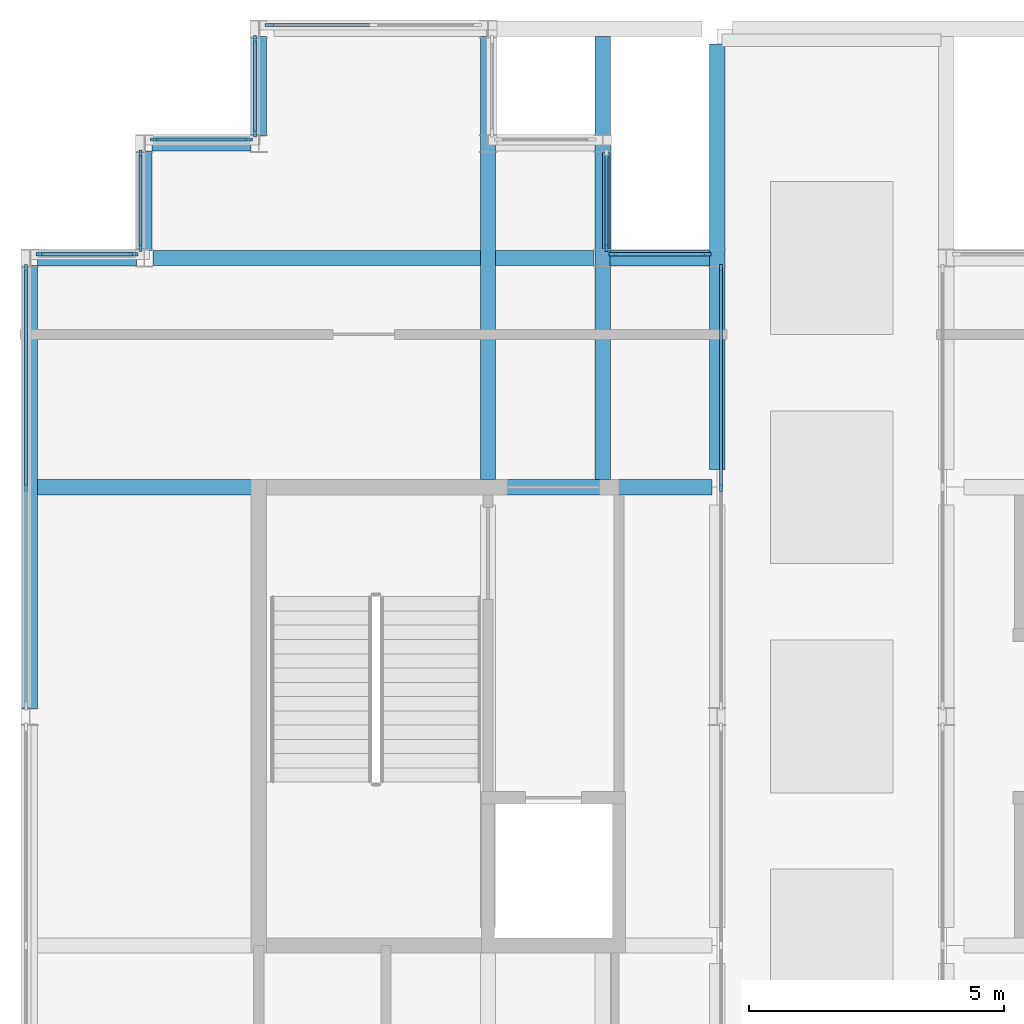
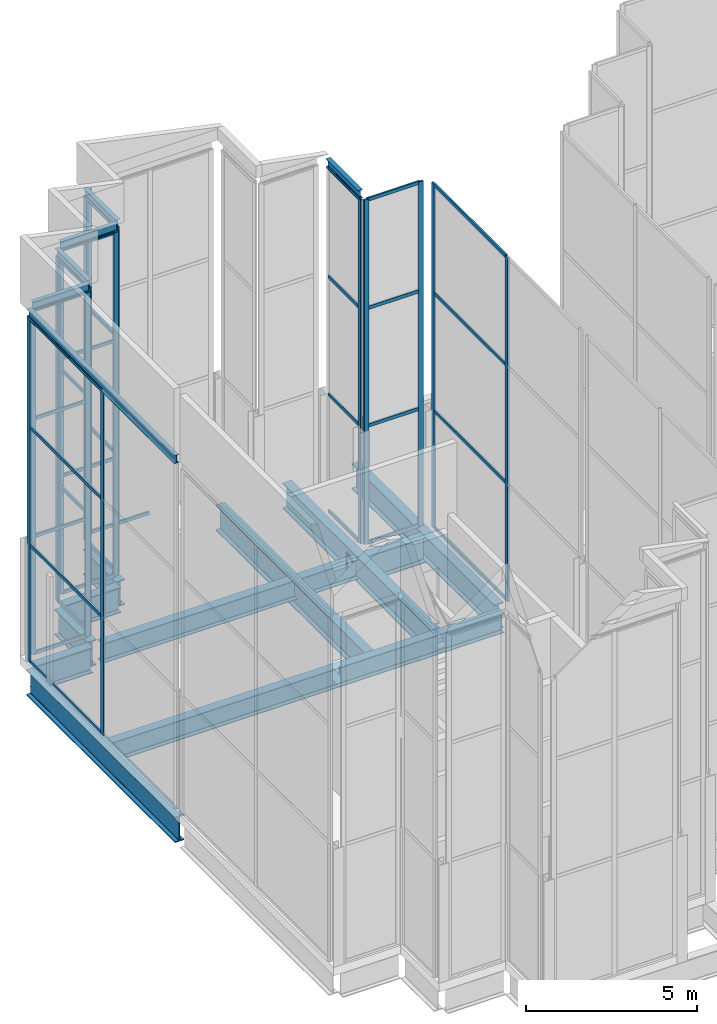
# One storey, part 6 of 23: 49 members, 17 beams, 9 elements without a shape of their own.
"""IFC4 building model written with IfcOpenShell, lengths in metres."""

from ifc_helpers import new_model, si_unit, direction, frame, origin, origin_2d, place, context, subcontext, project, spatial, rectangle, i_section, extrude, material, layer, layer_set, material_profile, profile_set, type_object, element, aggregate, save


model = new_model("IFC4")

# Units and contexts
model_context = context("Model", 3, precision=1e-05, world=origin(), true_north=direction((0.0, 1.0)))
body_context = subcontext(model_context, "Body", "Model", "MODEL_VIEW")
ifc_project = project(units=[si_unit("LENGTHUNIT", "METRE"), si_unit("AREAUNIT", "SQUARE_METRE"), si_unit("VOLUMEUNIT", "CUBIC_METRE"), si_unit("PLANEANGLEUNIT", "RADIAN"), si_unit("MASSUNIT", "GRAM", prefix="KILO")], contexts=[model_context])

# Site, building, storey
site_placement = place(None, origin())
site = spatial("IfcSite", under=ifc_project, at=site_placement, CompositionType="ELEMENT")
building_placement = place(site_placement, origin())
building = spatial("IfcBuilding", under=site, at=building_placement, Name="Caravel Reach Hotel and Residences", CompositionType="ELEMENT")
storey_placement = place(building_placement, frame((0.0, 0.0, 312.800048828125)))
storey = spatial("IfcBuildingStorey", under=building, at=storey_placement, Name="L79", CompositionType="ELEMENT", Elevation=312.800048828125)

# Beams
ifc_material_1 = material(Name="Structural steel Q355B", Category="steel")
ifc_material_profile_1 = material_profile(ifc_material_1, i_section(OverallWidth=0.14990234375, OverallDepth=0.300048828125, WebThickness=0.006591796875, FlangeThickness=0.009033203125, FilletRadius=0.012939453125, at=origin_2d()), Name="HN 300x150x6.5x9")
ifc_profile_set_1 = profile_set([ifc_material_profile_1], Name="Structural steel Q355B")
beam_type_1 = type_object("IfcBeamType", Name="Beam HN 300x150x6.5x9", PredefinedType="BEAM", material=ifc_profile_set_1)
for number, where, z_axis, x_axis, name in (
    (1, (24.824951171875, 36.175048828125, 12.449951171875), (0.0, 1.0, 0.0), (-1.0, 0.0, 0.0), "Eave tie beam west 27.1"),
    (2, (17.925048828125, 40.324951171875, 12.449951171875), (0.0, -1.0, 0.0), (1.0, 0.0, 0.0), "Eave tie beam west 31.1"),
    (3, (17.824951171875, 38.324951171875, 12.449951171875), (-1.0, 0.0, 0.0), (0.0, -1.0, 0.0), "Eave tie beam west 32.1"),
    (4, (15.675048828125, 38.074951171875, 12.449951171875), (0.0, -1.0, 0.0), (1.0, 0.0, 0.0), "Eave tie beam west 33.1"),
    (5, (15.574951171875, 36.074951171875, 12.449951171875), (-1.0, 0.0, 0.0), (0.0, -1.0, 0.0), "Eave tie beam west 34.1"),
):
    element("IfcBeam", number, at=place(storey_placement, frame(where, z_axis=z_axis, x_axis=x_axis)), inside=storey, type_object=beam_type_1, Name=name, PredefinedType="BEAM", context=body_context, shape_type="SweptSolid", body=[
        extrude(i_section(OverallWidth=0.14990234375, OverallDepth=0.300048828125, WebThickness=0.006591796875, FlangeThickness=0.009033203125, FilletRadius=0.012939453125, at=origin_2d()), origin(), (0.0, 0.0, 1.0), 1.89990234375),
    ])
beam_1_placement = place(storey_placement, frame((13.425048828125, 35.824951171875, 12.449951171875), z_axis=(0.0, -1.0, 0.0), x_axis=(1.0, 0.0, 0.0)))
element("IfcBeam", 6, at=beam_1_placement, inside=storey, type_object=beam_type_1, Name="Eave tie beam west 35.1", PredefinedType="BEAM", context=body_context, shape_type="SweptSolid", body=[
    extrude(i_section(OverallWidth=0.14990234375, OverallDepth=0.300048828125, WebThickness=0.006591796875, FlangeThickness=0.009033203125, FilletRadius=0.012939453125, at=origin_2d()), origin(), (0.0, 0.0, 1.0), 8.64990234375),
])
ifc_material_2 = material(Name="Structural steel Q355B", Category="steel")
ifc_material_profile_2 = material_profile(ifc_material_2, i_section(OverallWidth=0.300048828125, OverallDepth=0.699951171875, WebThickness=0.012939453125, FlangeThickness=0.02392578125, FilletRadius=0.01806640625, at=origin_2d()), Name="HN 700x300x13x24")
ifc_profile_set_2 = profile_set([ifc_material_profile_2], Name="Structural steel Q355B")
beam_type_2 = type_object("IfcBeamType", Name="Beam HN 700x300x13x24", PredefinedType="BEAM", material=ifc_profile_set_2)
beam_2_placement = place(storey_placement, frame((13.60009765625, 31.5, -0.650146484375), z_axis=(1.0, 0.0, 0.0), x_axis=(0.0, 1.0, 0.0)))
element("IfcBeam", 7, at=beam_2_placement, inside=storey, type_object=beam_type_2, Name="B2 HN 700x300x13x24", PredefinedType="BEAM", context=body_context, shape_type="SweptSolid", body=[
    extrude(i_section(OverallWidth=0.300048828125, OverallDepth=0.699951171875, WebThickness=0.012939453125, FlangeThickness=0.02392578125, FilletRadius=0.01806640625, at=origin_2d()), origin(), (0.0, 0.0, 1.0), 13.2998046875),
])
beam_3_placement = place(storey_placement, frame((15.925048828125, 36.0, -0.650146484375), z_axis=(1.0, 0.0, 0.0), x_axis=(0.0, 1.0, 0.0)))
element("IfcBeam", 8, at=beam_3_placement, inside=storey, type_object=beam_type_2, Name="B2 HN 700x300x13x24", PredefinedType="BEAM", context=body_context, shape_type="SweptSolid", body=[
    extrude(i_section(OverallWidth=0.300048828125, OverallDepth=0.699951171875, WebThickness=0.012939453125, FlangeThickness=0.02392578125, FilletRadius=0.01806640625, at=origin_2d()), origin(), (0.0, 0.0, 1.0), 8.64990234375),
])
ifc_material_3 = material(Name="Structural steel Q355B", Category="steel")
ifc_material_profile_3 = material_profile(ifc_material_3, i_section(OverallWidth=0.302001953125, OverallDepth=0.912109375, WebThickness=0.01806640625, FlangeThickness=0.033935546875, FilletRadius=0.01806640625, at=origin_2d()), Name="HN 900x300x18x34")
ifc_profile_set_3 = profile_set([ifc_material_profile_3], Name="Structural steel Q355B")
beam_type_3 = type_object("IfcBeamType", Name="Beam HN 900x300x18x34", PredefinedType="BEAM", material=ifc_profile_set_3)
for number, where, z_axis, x_axis, name in (
    (9, (26.85009765625, 36.0, -0.756103515625), (-1.0, 0.0, 0.0), (0.0, -1.0, 0.0), "B10 HN 900x300x18x34"),
    (10, (18.0, 40.35009765625, -0.756103515625), (0.0, -1.0, 0.0), (1.0, 0.0, 0.0), "B10 HN 900x300x18x34"),
    (11, (17.85009765625, 38.25, -0.756103515625), (-1.0, 0.0, 0.0), (0.0, -1.0, 0.0), "B10 HN 900x300x18x34"),
    (12, (15.75, 38.10009765625, -0.756103515625), (0.0, -1.0, 0.0), (1.0, 0.0, 0.0), "B10 HN 900x300x18x34"),
    (13, (15.60009765625, 36.0, -0.756103515625), (-1.0, 0.0, 0.0), (0.0, -1.0, 0.0), "B10 HN 900x300x18x34"),
):
    element("IfcBeam", number, at=place(storey_placement, frame(where, z_axis=z_axis, x_axis=x_axis)), inside=storey, type_object=beam_type_3, Name=name, PredefinedType="BEAM", context=body_context, shape_type="SweptSolid", body=[
        extrude(i_section(OverallWidth=0.302001953125, OverallDepth=0.912109375, WebThickness=0.01806640625, FlangeThickness=0.033935546875, FilletRadius=0.01806640625, at=origin_2d()), origin(), (0.0, 0.0, 1.0), 1.9501953125),
    ])
beam_4_placement = place(storey_placement, frame((13.5, 35.85009765625, -0.756103515625), z_axis=(0.0, -1.0, 0.0), x_axis=(1.0, 0.0, 0.0)))
element("IfcBeam", 14, at=beam_4_placement, inside=storey, type_object=beam_type_3, Name="B10 HN 900x300x18x34", PredefinedType="BEAM", context=body_context, shape_type="SweptSolid", body=[
    extrude(i_section(OverallWidth=0.302001953125, OverallDepth=0.912109375, WebThickness=0.01806640625, FlangeThickness=0.033935546875, FilletRadius=0.01806640625, at=origin_2d()), origin(), (0.0, 0.0, 1.0), 8.7001953125),
])
beam_5_placement = place(storey_placement, frame((27.0, 31.85009765625, -0.756103515625), z_axis=(0.0, 1.0, 0.0), x_axis=(-1.0, 0.0, 0.0)))
element("IfcBeam", 15, at=beam_5_placement, inside=storey, type_object=beam_type_3, Name="Transfer girder TG-L79-270-315", PredefinedType="BEAM", context=body_context, shape_type="SweptSolid", body=[
    extrude(i_section(OverallWidth=0.302001953125, OverallDepth=0.912109375, WebThickness=0.01806640625, FlangeThickness=0.033935546875, FilletRadius=0.01806640625, at=origin_2d()), origin(), (0.0, 0.0, 1.0), 8.349853515625),
])
for number, where, z_axis, x_axis, name in (
    (16, (22.5, 31.64990234375, -0.756103515625), (0.0, 1.0, 0.0), (-1.0, 0.0, 0.0), "Transfer girder TG-L79-2250-315"),
    (17, (24.75, 31.64990234375, -0.756103515625), (0.0, 1.0, 0.0), (-1.0, 0.0, 0.0), "Transfer girder TG-L79-2475-315"),
):
    element("IfcBeam", number, at=place(storey_placement, frame(where, z_axis=z_axis, x_axis=x_axis)), inside=storey, type_object=beam_type_3, Name=name, PredefinedType="BEAM", context=body_context, shape_type="SweptSolid", body=[
        extrude(i_section(OverallWidth=0.302001953125, OverallDepth=0.912109375, WebThickness=0.01806640625, FlangeThickness=0.033935546875, FilletRadius=0.01806640625, at=origin_2d()), origin(), (0.0, 0.0, 1.0), 8.7001953125),
    ])

# Curtain wall, members
ifc_material_4 = material(Name="Dark low-e glazing in black aluminium frame", Category="aluminium")
ifc_layer = layer(ifc_material_4, 0.199951171875)
ifc_layer_set = layer_set([ifc_layer], Name="CW4 Crown glazing")
curtain_wall_type = type_object("IfcCurtainWallType", Name="CW4 Crown glazing", PredefinedType="NOTDEFINED", material=ifc_layer_set)
curtain_wall_1_placement = place(storey_placement, origin())
curtain_wall_1 = element("IfcCurtainWall", 18, at=curtain_wall_1_placement, inside=storey, type_object=curtain_wall_type, Name="Crown glazing b1", PredefinedType="NOTDEFINED")
ifc_material_5 = material(Name="Anodised aluminium alloy 6063-T5, black", Category="aluminium")
ifc_material_profile_4 = material_profile(ifc_material_5, rectangle(XDim=0.06005859375, YDim=0.159912109375, at=origin_2d()), Name="CW mullion 60 x 160")
ifc_profile_set_4 = profile_set([ifc_material_profile_4], Name="Anodised aluminium alloy 6063-T5, black")
member_type_1 = type_object("IfcMemberType", Name="CW mullion 60 x 160", PredefinedType="MULLION", material=ifc_profile_set_4)
member_1_placement = place(storey_placement, frame((27.074951171875, 31.5, 0.0), z_axis=(0.0, 0.0, 1.0), x_axis=(-1.0, 0.0, 0.0)))
member_1 = element("IfcMember", 19, at=member_1_placement, type_object=member_type_1, Name="CW4 mullion 2", PredefinedType="MULLION", context=body_context, shape_type="SweptSolid", body=[
    extrude(rectangle(XDim=0.06005859375, YDim=0.159912109375, at=origin_2d()), origin(), (0.0, 0.0, 1.0), 12.300048828125),
])
member_2_placement = place(storey_placement, frame((27.074951171875, 35.794921875, 0.0), z_axis=(0.0, 0.0, 1.0), x_axis=(-1.0, 0.0, 0.0)))
member_2 = element("IfcMember", 20, at=member_2_placement, type_object=member_type_1, Name="CW4 mullion 3", PredefinedType="MULLION", context=body_context, shape_type="SweptSolid", body=[
    extrude(rectangle(XDim=0.06005859375, YDim=0.159912109375, at=origin_2d()), origin(), (0.0, 0.0, 1.0), 12.300048828125),
])

curtain_wall_2_placement = place(storey_placement, origin())
curtain_wall_2 = element("IfcCurtainWall", 21, at=curtain_wall_2_placement, inside=storey, type_object=curtain_wall_type, Name="Crown glazing b0", PredefinedType="NOTDEFINED")
member_3_placement = place(storey_placement, frame((26.794921875, 36.074951171875, 0.0), z_axis=(0.0, 0.0, 1.0), x_axis=(0.0, -1.0, 0.0)))
member_3 = element("IfcMember", 22, at=member_3_placement, type_object=member_type_1, Name="CW4 mullion 1", PredefinedType="MULLION", context=body_context, shape_type="SweptSolid", body=[
    extrude(rectangle(XDim=0.06005859375, YDim=0.159912109375, at=origin_2d()), origin(), (0.0, 0.0, 1.0), 12.300048828125),
])
member_4_placement = place(storey_placement, frame((24.955078125, 36.074951171875, 0.0), z_axis=(0.0, 0.0, 1.0), x_axis=(0.0, -1.0, 0.0)))
member_4 = element("IfcMember", 23, at=member_4_placement, type_object=member_type_1, Name="CW4 mullion 2", PredefinedType="MULLION", context=body_context, shape_type="SweptSolid", body=[
    extrude(rectangle(XDim=0.06005859375, YDim=0.159912109375, at=origin_2d()), origin(), (0.0, 0.0, 1.0), 12.300048828125),
])

# Curtain wall, member
curtain_wall_3_placement = place(storey_placement, origin())
curtain_wall_3 = element("IfcCurtainWall", 24, at=curtain_wall_3_placement, inside=storey, type_object=curtain_wall_type, Name="Crown glazing b0", PredefinedType="NOTDEFINED")
member_5_placement = place(storey_placement, frame((24.824951171875, 36.205078125, 0.0), z_axis=(0.0, 0.0, 1.0), x_axis=(-1.0, 0.0, 0.0)))
member_5 = element("IfcMember", 25, at=member_5_placement, type_object=member_type_1, Name="CW4 mullion 1", PredefinedType="MULLION", context=body_context, shape_type="SweptSolid", body=[
    extrude(rectangle(XDim=0.06005859375, YDim=0.159912109375, at=origin_2d()), origin(), (0.0, 0.0, 1.0), 12.300048828125),
])

curtain_wall_4_placement = place(storey_placement, origin())
curtain_wall_4 = element("IfcCurtainWall", 26, at=curtain_wall_4_placement, inside=storey, type_object=curtain_wall_type, Name="Crown glazing b0", PredefinedType="NOTDEFINED")
member_6_placement = place(storey_placement, frame((18.205078125, 40.574951171875, 0.0), z_axis=(0.0, 0.0, 1.0), x_axis=(0.0, -1.0, 0.0)))
member_6 = element("IfcMember", 27, at=member_6_placement, type_object=member_type_1, Name="CW4 mullion 3", PredefinedType="MULLION", context=body_context, shape_type="SweptSolid", body=[
    extrude(rectangle(XDim=0.06005859375, YDim=0.159912109375, at=origin_2d()), origin(), (0.0, 0.0, 1.0), 12.300048828125),
])

# Curtain wall, members
curtain_wall_5_placement = place(storey_placement, origin())
curtain_wall_5 = element("IfcCurtainWall", 28, at=curtain_wall_5_placement, inside=storey, type_object=curtain_wall_type, Name="Crown glazing b0", PredefinedType="NOTDEFINED")
member_7_placement = place(storey_placement, frame((17.925048828125, 40.294921875, 0.0), z_axis=(0.0, 0.0, 1.0), x_axis=(1.0, 0.0, 0.0)))
member_7 = element("IfcMember", 29, at=member_7_placement, type_object=member_type_1, Name="CW4 mullion 1", PredefinedType="MULLION", context=body_context, shape_type="SweptSolid", body=[
    extrude(rectangle(XDim=0.06005859375, YDim=0.159912109375, at=origin_2d()), origin(), (0.0, 0.0, 1.0), 12.300048828125),
])
member_8_placement = place(storey_placement, frame((17.925048828125, 38.455078125, 0.0), z_axis=(0.0, 0.0, 1.0), x_axis=(1.0, 0.0, 0.0)))
member_8 = element("IfcMember", 30, at=member_8_placement, type_object=member_type_1, Name="CW4 mullion 2", PredefinedType="MULLION", context=body_context, shape_type="SweptSolid", body=[
    extrude(rectangle(XDim=0.06005859375, YDim=0.159912109375, at=origin_2d()), origin(), (0.0, 0.0, 1.0), 12.300048828125),
])

curtain_wall_6_placement = place(storey_placement, origin())
curtain_wall_6 = element("IfcCurtainWall", 31, at=curtain_wall_6_placement, inside=storey, type_object=curtain_wall_type, Name="Crown glazing b0", PredefinedType="NOTDEFINED")
member_9_placement = place(storey_placement, frame((17.794921875, 38.324951171875, 0.0), z_axis=(0.0, 0.0, 1.0), x_axis=(0.0, -1.0, 0.0)))
member_9 = element("IfcMember", 32, at=member_9_placement, type_object=member_type_1, Name="CW4 mullion 1", PredefinedType="MULLION", context=body_context, shape_type="SweptSolid", body=[
    extrude(rectangle(XDim=0.06005859375, YDim=0.159912109375, at=origin_2d()), origin(), (0.0, 0.0, 1.0), 12.300048828125),
])
member_10_placement = place(storey_placement, frame((15.955078125, 38.324951171875, 0.0), z_axis=(0.0, 0.0, 1.0), x_axis=(0.0, -1.0, 0.0)))
member_10 = element("IfcMember", 33, at=member_10_placement, type_object=member_type_1, Name="CW4 mullion 2", PredefinedType="MULLION", context=body_context, shape_type="SweptSolid", body=[
    extrude(rectangle(XDim=0.06005859375, YDim=0.159912109375, at=origin_2d()), origin(), (0.0, 0.0, 1.0), 12.300048828125),
])

curtain_wall_7_placement = place(storey_placement, origin())
curtain_wall_7 = element("IfcCurtainWall", 34, at=curtain_wall_7_placement, inside=storey, type_object=curtain_wall_type, Name="Crown glazing b0", PredefinedType="NOTDEFINED")
member_11_placement = place(storey_placement, frame((15.675048828125, 38.044921875, 0.0), z_axis=(0.0, 0.0, 1.0), x_axis=(1.0, 0.0, 0.0)))
member_11 = element("IfcMember", 35, at=member_11_placement, type_object=member_type_1, Name="CW4 mullion 1", PredefinedType="MULLION", context=body_context, shape_type="SweptSolid", body=[
    extrude(rectangle(XDim=0.06005859375, YDim=0.159912109375, at=origin_2d()), origin(), (0.0, 0.0, 1.0), 12.300048828125),
])
member_12_placement = place(storey_placement, frame((15.675048828125, 36.205078125, 0.0), z_axis=(0.0, 0.0, 1.0), x_axis=(1.0, 0.0, 0.0)))
member_12 = element("IfcMember", 36, at=member_12_placement, type_object=member_type_1, Name="CW4 mullion 2", PredefinedType="MULLION", context=body_context, shape_type="SweptSolid", body=[
    extrude(rectangle(XDim=0.06005859375, YDim=0.159912109375, at=origin_2d()), origin(), (0.0, 0.0, 1.0), 12.300048828125),
])

curtain_wall_8_placement = place(storey_placement, origin())
curtain_wall_8 = element("IfcCurtainWall", 37, at=curtain_wall_8_placement, inside=storey, type_object=curtain_wall_type, Name="Crown glazing b0", PredefinedType="NOTDEFINED")
member_13_placement = place(storey_placement, frame((15.544921875, 36.074951171875, 0.0), z_axis=(0.0, 0.0, 1.0), x_axis=(0.0, -1.0, 0.0)))
member_13 = element("IfcMember", 38, at=member_13_placement, type_object=member_type_1, Name="CW4 mullion 1", PredefinedType="MULLION", context=body_context, shape_type="SweptSolid", body=[
    extrude(rectangle(XDim=0.06005859375, YDim=0.159912109375, at=origin_2d()), origin(), (0.0, 0.0, 1.0), 12.300048828125),
])
member_14_placement = place(storey_placement, frame((13.705078125, 36.074951171875, 0.0), z_axis=(0.0, 0.0, 1.0), x_axis=(0.0, -1.0, 0.0)))
member_14 = element("IfcMember", 39, at=member_14_placement, type_object=member_type_1, Name="CW4 mullion 2", PredefinedType="MULLION", context=body_context, shape_type="SweptSolid", body=[
    extrude(rectangle(XDim=0.06005859375, YDim=0.159912109375, at=origin_2d()), origin(), (0.0, 0.0, 1.0), 12.300048828125),
])

curtain_wall_9_placement = place(storey_placement, origin())
curtain_wall_9 = element("IfcCurtainWall", 40, at=curtain_wall_9_placement, inside=storey, type_object=curtain_wall_type, Name="Crown glazing b0", PredefinedType="NOTDEFINED")
member_15_placement = place(storey_placement, frame((13.425048828125, 35.794921875, 0.0), z_axis=(0.0, 0.0, 1.0), x_axis=(1.0, 0.0, 0.0)))
member_15 = element("IfcMember", 41, at=member_15_placement, type_object=member_type_1, Name="CW4 mullion 1", PredefinedType="MULLION", context=body_context, shape_type="SweptSolid", body=[
    extrude(rectangle(XDim=0.06005859375, YDim=0.159912109375, at=origin_2d()), origin(), (0.0, 0.0, 1.0), 12.300048828125),
])
member_16_placement = place(storey_placement, frame((13.425048828125, 31.5, 0.0), z_axis=(0.0, 0.0, 1.0), x_axis=(1.0, 0.0, 0.0)))
member_16 = element("IfcMember", 42, at=member_16_placement, type_object=member_type_1, Name="CW4 mullion 2", PredefinedType="MULLION", context=body_context, shape_type="SweptSolid", body=[
    extrude(rectangle(XDim=0.06005859375, YDim=0.159912109375, at=origin_2d()), origin(), (0.0, 0.0, 1.0), 12.300048828125),
])

# Member
ifc_material_6 = material(Name="Anodised aluminium alloy 6063-T5, black", Category="aluminium")
ifc_material_profile_5 = material_profile(ifc_material_6, rectangle(XDim=0.06005859375, YDim=0.1201171875, at=origin_2d()), Name="CW transom 60 x 120")
ifc_profile_set_5 = profile_set([ifc_material_profile_5], Name="Anodised aluminium alloy 6063-T5, black")
member_type_2 = type_object("IfcMemberType", Name="CW transom 60 x 120", PredefinedType="USERDEFINED", material=ifc_profile_set_5)
member_17_placement = place(storey_placement, frame((27.074951171875, 31.530029296875, 0.030029296875), z_axis=(0.0, 1.0, 0.0), x_axis=(-1.0, 0.0, 0.0)))
member_17 = element("IfcMember", 43, at=member_17_placement, type_object=member_type_2, Name="CW4 transom 2.1", ObjectType="TRANSOM", PredefinedType="USERDEFINED", context=body_context, shape_type="SweptSolid", body=[
    extrude(rectangle(XDim=0.06005859375, YDim=0.1201171875, at=origin_2d()), origin(), (0.0, 0.0, 1.0), 4.23486328125),
])

member_18_placement = place(storey_placement, frame((27.074951171875, 31.530029296875, 4.199951171875), z_axis=(0.0, 1.0, 0.0), x_axis=(-1.0, 0.0, 0.0)))
member_18 = element("IfcMember", 44, at=member_18_placement, type_object=member_type_2, Name="CW4 transom 2.2", ObjectType="TRANSOM", PredefinedType="USERDEFINED", context=body_context, shape_type="SweptSolid", body=[
    extrude(rectangle(XDim=0.06005859375, YDim=0.1201171875, at=origin_2d()), origin(), (0.0, 0.0, 1.0), 4.23486328125),
])

member_19_placement = place(storey_placement, frame((27.074951171875, 31.530029296875, 8.39990234375), z_axis=(0.0, 1.0, 0.0), x_axis=(-1.0, 0.0, 0.0)))
member_19 = element("IfcMember", 45, at=member_19_placement, type_object=member_type_2, Name="CW4 transom 2.3", ObjectType="TRANSOM", PredefinedType="USERDEFINED", context=body_context, shape_type="SweptSolid", body=[
    extrude(rectangle(XDim=0.06005859375, YDim=0.1201171875, at=origin_2d()), origin(), (0.0, 0.0, 1.0), 4.23486328125),
])

member_20_placement = place(storey_placement, frame((27.074951171875, 31.530029296875, 12.27001953125), z_axis=(0.0, 1.0, 0.0), x_axis=(-1.0, 0.0, 0.0)))
member_20 = element("IfcMember", 46, at=member_20_placement, type_object=member_type_2, Name="CW4 transom 2.4", ObjectType="TRANSOM", PredefinedType="USERDEFINED", context=body_context, shape_type="SweptSolid", body=[
    extrude(rectangle(XDim=0.06005859375, YDim=0.1201171875, at=origin_2d()), origin(), (0.0, 0.0, 1.0), 4.23486328125),
])

aggregate(curtain_wall_1, [member_1, member_2, member_17, member_18, member_19, member_20])

member_21_placement = place(storey_placement, frame((26.764892578125, 36.074951171875, 0.030029296875), z_axis=(-1.0, 0.0, 0.0), x_axis=(0.0, -1.0, 0.0)))
member_21 = element("IfcMember", 47, at=member_21_placement, type_object=member_type_2, Name="CW4 transom 1.1", ObjectType="TRANSOM", PredefinedType="USERDEFINED", context=body_context, shape_type="SweptSolid", body=[
    extrude(rectangle(XDim=0.06005859375, YDim=0.1201171875, at=origin_2d()), origin(), (0.0, 0.0, 1.0), 1.77978515625),
])

member_22_placement = place(storey_placement, frame((26.764892578125, 36.074951171875, 4.199951171875), z_axis=(-1.0, 0.0, 0.0), x_axis=(0.0, -1.0, 0.0)))
member_22 = element("IfcMember", 48, at=member_22_placement, type_object=member_type_2, Name="CW4 transom 1.2", ObjectType="TRANSOM", PredefinedType="USERDEFINED", context=body_context, shape_type="SweptSolid", body=[
    extrude(rectangle(XDim=0.06005859375, YDim=0.1201171875, at=origin_2d()), origin(), (0.0, 0.0, 1.0), 1.77978515625),
])

member_23_placement = place(storey_placement, frame((26.764892578125, 36.074951171875, 8.39990234375), z_axis=(-1.0, 0.0, 0.0), x_axis=(0.0, -1.0, 0.0)))
member_23 = element("IfcMember", 49, at=member_23_placement, type_object=member_type_2, Name="CW4 transom 1.3", ObjectType="TRANSOM", PredefinedType="USERDEFINED", context=body_context, shape_type="SweptSolid", body=[
    extrude(rectangle(XDim=0.06005859375, YDim=0.1201171875, at=origin_2d()), origin(), (0.0, 0.0, 1.0), 1.77978515625),
])

member_24_placement = place(storey_placement, frame((26.764892578125, 36.074951171875, 12.27001953125), z_axis=(-1.0, 0.0, 0.0), x_axis=(0.0, -1.0, 0.0)))
member_24 = element("IfcMember", 50, at=member_24_placement, type_object=member_type_2, Name="CW4 transom 1.4", ObjectType="TRANSOM", PredefinedType="USERDEFINED", context=body_context, shape_type="SweptSolid", body=[
    extrude(rectangle(XDim=0.06005859375, YDim=0.1201171875, at=origin_2d()), origin(), (0.0, 0.0, 1.0), 1.77978515625),
])

aggregate(curtain_wall_2, [member_3, member_4, member_21, member_22, member_23, member_24])

member_25_placement = place(storey_placement, frame((24.824951171875, 36.235107421875, 0.030029296875), z_axis=(0.0, 1.0, 0.0), x_axis=(-1.0, 0.0, 0.0)))
member_25 = element("IfcMember", 51, at=member_25_placement, type_object=member_type_2, Name="CW4 transom 1.1", ObjectType="TRANSOM", PredefinedType="USERDEFINED", context=body_context, shape_type="SweptSolid", body=[
    extrude(rectangle(XDim=0.06005859375, YDim=0.1201171875, at=origin_2d()), origin(), (0.0, 0.0, 1.0), 1.77978515625),
])

member_26_placement = place(storey_placement, frame((24.824951171875, 36.235107421875, 4.199951171875), z_axis=(0.0, 1.0, 0.0), x_axis=(-1.0, 0.0, 0.0)))
member_26 = element("IfcMember", 52, at=member_26_placement, type_object=member_type_2, Name="CW4 transom 1.2", ObjectType="TRANSOM", PredefinedType="USERDEFINED", context=body_context, shape_type="SweptSolid", body=[
    extrude(rectangle(XDim=0.06005859375, YDim=0.1201171875, at=origin_2d()), origin(), (0.0, 0.0, 1.0), 1.77978515625),
])

member_27_placement = place(storey_placement, frame((24.824951171875, 36.235107421875, 8.39990234375), z_axis=(0.0, 1.0, 0.0), x_axis=(-1.0, 0.0, 0.0)))
member_27 = element("IfcMember", 53, at=member_27_placement, type_object=member_type_2, Name="CW4 transom 1.3", ObjectType="TRANSOM", PredefinedType="USERDEFINED", context=body_context, shape_type="SweptSolid", body=[
    extrude(rectangle(XDim=0.06005859375, YDim=0.1201171875, at=origin_2d()), origin(), (0.0, 0.0, 1.0), 1.77978515625),
])

member_28_placement = place(storey_placement, frame((24.824951171875, 36.235107421875, 12.27001953125), z_axis=(0.0, 1.0, 0.0), x_axis=(-1.0, 0.0, 0.0)))
member_28 = element("IfcMember", 54, at=member_28_placement, type_object=member_type_2, Name="CW4 transom 1.4", ObjectType="TRANSOM", PredefinedType="USERDEFINED", context=body_context, shape_type="SweptSolid", body=[
    extrude(rectangle(XDim=0.06005859375, YDim=0.1201171875, at=origin_2d()), origin(), (0.0, 0.0, 1.0), 1.77978515625),
])

aggregate(curtain_wall_3, [member_5, member_25, member_26, member_27, member_28])

member_29_placement = place(storey_placement, frame((20.219970703125, 40.574951171875, 0.030029296875), z_axis=(-1.0, 0.0, 0.0), x_axis=(0.0, -1.0, 0.0)))
member_29 = element("IfcMember", 55, at=member_29_placement, type_object=member_type_2, Name="CW4 transom 2.1", ObjectType="TRANSOM", PredefinedType="USERDEFINED", context=body_context, shape_type="SweptSolid", body=[
    extrude(rectangle(XDim=0.06005859375, YDim=0.1201171875, at=origin_2d()), origin(), (0.0, 0.0, 1.0), 1.98486328125),
])

aggregate(curtain_wall_4, [member_6, member_29])

member_30_placement = place(storey_placement, frame((17.925048828125, 40.264892578125, 0.030029296875), z_axis=(0.0, -1.0, 0.0), x_axis=(1.0, 0.0, 0.0)))
member_30 = element("IfcMember", 56, at=member_30_placement, type_object=member_type_2, Name="CW4 transom 1.1", ObjectType="TRANSOM", PredefinedType="USERDEFINED", context=body_context, shape_type="SweptSolid", body=[
    extrude(rectangle(XDim=0.06005859375, YDim=0.1201171875, at=origin_2d()), origin(), (0.0, 0.0, 1.0), 1.77978515625),
])

member_31_placement = place(storey_placement, frame((17.925048828125, 40.264892578125, 4.199951171875), z_axis=(0.0, -1.0, 0.0), x_axis=(1.0, 0.0, 0.0)))
member_31 = element("IfcMember", 57, at=member_31_placement, type_object=member_type_2, Name="CW4 transom 1.2", ObjectType="TRANSOM", PredefinedType="USERDEFINED", context=body_context, shape_type="SweptSolid", body=[
    extrude(rectangle(XDim=0.06005859375, YDim=0.1201171875, at=origin_2d()), origin(), (0.0, 0.0, 1.0), 1.77978515625),
])

member_32_placement = place(storey_placement, frame((17.925048828125, 40.264892578125, 8.39990234375), z_axis=(0.0, -1.0, 0.0), x_axis=(1.0, 0.0, 0.0)))
member_32 = element("IfcMember", 58, at=member_32_placement, type_object=member_type_2, Name="CW4 transom 1.3", ObjectType="TRANSOM", PredefinedType="USERDEFINED", context=body_context, shape_type="SweptSolid", body=[
    extrude(rectangle(XDim=0.06005859375, YDim=0.1201171875, at=origin_2d()), origin(), (0.0, 0.0, 1.0), 1.77978515625),
])

member_33_placement = place(storey_placement, frame((17.925048828125, 40.264892578125, 12.27001953125), z_axis=(0.0, -1.0, 0.0), x_axis=(1.0, 0.0, 0.0)))
member_33 = element("IfcMember", 59, at=member_33_placement, type_object=member_type_2, Name="CW4 transom 1.4", ObjectType="TRANSOM", PredefinedType="USERDEFINED", context=body_context, shape_type="SweptSolid", body=[
    extrude(rectangle(XDim=0.06005859375, YDim=0.1201171875, at=origin_2d()), origin(), (0.0, 0.0, 1.0), 1.77978515625),
])

aggregate(curtain_wall_5, [member_7, member_8, member_30, member_31, member_32, member_33])

member_34_placement = place(storey_placement, frame((17.764892578125, 38.324951171875, 0.030029296875), z_axis=(-1.0, 0.0, 0.0), x_axis=(0.0, -1.0, 0.0)))
member_34 = element("IfcMember", 60, at=member_34_placement, type_object=member_type_2, Name="CW4 transom 1.1", ObjectType="TRANSOM", PredefinedType="USERDEFINED", context=body_context, shape_type="SweptSolid", body=[
    extrude(rectangle(XDim=0.06005859375, YDim=0.1201171875, at=origin_2d()), origin(), (0.0, 0.0, 1.0), 1.77978515625),
])

member_35_placement = place(storey_placement, frame((17.764892578125, 38.324951171875, 4.199951171875), z_axis=(-1.0, 0.0, 0.0), x_axis=(0.0, -1.0, 0.0)))
member_35 = element("IfcMember", 61, at=member_35_placement, type_object=member_type_2, Name="CW4 transom 1.2", ObjectType="TRANSOM", PredefinedType="USERDEFINED", context=body_context, shape_type="SweptSolid", body=[
    extrude(rectangle(XDim=0.06005859375, YDim=0.1201171875, at=origin_2d()), origin(), (0.0, 0.0, 1.0), 1.77978515625),
])

member_36_placement = place(storey_placement, frame((17.764892578125, 38.324951171875, 8.39990234375), z_axis=(-1.0, 0.0, 0.0), x_axis=(0.0, -1.0, 0.0)))
member_36 = element("IfcMember", 62, at=member_36_placement, type_object=member_type_2, Name="CW4 transom 1.3", ObjectType="TRANSOM", PredefinedType="USERDEFINED", context=body_context, shape_type="SweptSolid", body=[
    extrude(rectangle(XDim=0.06005859375, YDim=0.1201171875, at=origin_2d()), origin(), (0.0, 0.0, 1.0), 1.77978515625),
])

member_37_placement = place(storey_placement, frame((17.764892578125, 38.324951171875, 12.27001953125), z_axis=(-1.0, 0.0, 0.0), x_axis=(0.0, -1.0, 0.0)))
member_37 = element("IfcMember", 63, at=member_37_placement, type_object=member_type_2, Name="CW4 transom 1.4", ObjectType="TRANSOM", PredefinedType="USERDEFINED", context=body_context, shape_type="SweptSolid", body=[
    extrude(rectangle(XDim=0.06005859375, YDim=0.1201171875, at=origin_2d()), origin(), (0.0, 0.0, 1.0), 1.77978515625),
])

aggregate(curtain_wall_6, [member_9, member_10, member_34, member_35, member_36, member_37])

member_38_placement = place(storey_placement, frame((15.675048828125, 38.014892578125, 0.030029296875), z_axis=(0.0, -1.0, 0.0), x_axis=(1.0, 0.0, 0.0)))
member_38 = element("IfcMember", 64, at=member_38_placement, type_object=member_type_2, Name="CW4 transom 1.1", ObjectType="TRANSOM", PredefinedType="USERDEFINED", context=body_context, shape_type="SweptSolid", body=[
    extrude(rectangle(XDim=0.06005859375, YDim=0.1201171875, at=origin_2d()), origin(), (0.0, 0.0, 1.0), 1.77978515625),
])

member_39_placement = place(storey_placement, frame((15.675048828125, 38.014892578125, 4.199951171875), z_axis=(0.0, -1.0, 0.0), x_axis=(1.0, 0.0, 0.0)))
member_39 = element("IfcMember", 65, at=member_39_placement, type_object=member_type_2, Name="CW4 transom 1.2", ObjectType="TRANSOM", PredefinedType="USERDEFINED", context=body_context, shape_type="SweptSolid", body=[
    extrude(rectangle(XDim=0.06005859375, YDim=0.1201171875, at=origin_2d()), origin(), (0.0, 0.0, 1.0), 1.77978515625),
])

member_40_placement = place(storey_placement, frame((15.675048828125, 38.014892578125, 8.39990234375), z_axis=(0.0, -1.0, 0.0), x_axis=(1.0, 0.0, 0.0)))
member_40 = element("IfcMember", 66, at=member_40_placement, type_object=member_type_2, Name="CW4 transom 1.3", ObjectType="TRANSOM", PredefinedType="USERDEFINED", context=body_context, shape_type="SweptSolid", body=[
    extrude(rectangle(XDim=0.06005859375, YDim=0.1201171875, at=origin_2d()), origin(), (0.0, 0.0, 1.0), 1.77978515625),
])

member_41_placement = place(storey_placement, frame((15.675048828125, 38.014892578125, 12.27001953125), z_axis=(0.0, -1.0, 0.0), x_axis=(1.0, 0.0, 0.0)))
member_41 = element("IfcMember", 67, at=member_41_placement, type_object=member_type_2, Name="CW4 transom 1.4", ObjectType="TRANSOM", PredefinedType="USERDEFINED", context=body_context, shape_type="SweptSolid", body=[
    extrude(rectangle(XDim=0.06005859375, YDim=0.1201171875, at=origin_2d()), origin(), (0.0, 0.0, 1.0), 1.77978515625),
])

aggregate(curtain_wall_7, [member_11, member_12, member_38, member_39, member_40, member_41])

member_42_placement = place(storey_placement, frame((15.514892578125, 36.074951171875, 0.030029296875), z_axis=(-1.0, 0.0, 0.0), x_axis=(0.0, -1.0, 0.0)))
member_42 = element("IfcMember", 68, at=member_42_placement, type_object=member_type_2, Name="CW4 transom 1.1", ObjectType="TRANSOM", PredefinedType="USERDEFINED", context=body_context, shape_type="SweptSolid", body=[
    extrude(rectangle(XDim=0.06005859375, YDim=0.1201171875, at=origin_2d()), origin(), (0.0, 0.0, 1.0), 1.77978515625),
])

member_43_placement = place(storey_placement, frame((15.514892578125, 36.074951171875, 4.199951171875), z_axis=(-1.0, 0.0, 0.0), x_axis=(0.0, -1.0, 0.0)))
member_43 = element("IfcMember", 69, at=member_43_placement, type_object=member_type_2, Name="CW4 transom 1.2", ObjectType="TRANSOM", PredefinedType="USERDEFINED", context=body_context, shape_type="SweptSolid", body=[
    extrude(rectangle(XDim=0.06005859375, YDim=0.1201171875, at=origin_2d()), origin(), (0.0, 0.0, 1.0), 1.77978515625),
])

member_44_placement = place(storey_placement, frame((15.514892578125, 36.074951171875, 8.39990234375), z_axis=(-1.0, 0.0, 0.0), x_axis=(0.0, -1.0, 0.0)))
member_44 = element("IfcMember", 70, at=member_44_placement, type_object=member_type_2, Name="CW4 transom 1.3", ObjectType="TRANSOM", PredefinedType="USERDEFINED", context=body_context, shape_type="SweptSolid", body=[
    extrude(rectangle(XDim=0.06005859375, YDim=0.1201171875, at=origin_2d()), origin(), (0.0, 0.0, 1.0), 1.77978515625),
])

member_45_placement = place(storey_placement, frame((15.514892578125, 36.074951171875, 12.27001953125), z_axis=(-1.0, 0.0, 0.0), x_axis=(0.0, -1.0, 0.0)))
member_45 = element("IfcMember", 71, at=member_45_placement, type_object=member_type_2, Name="CW4 transom 1.4", ObjectType="TRANSOM", PredefinedType="USERDEFINED", context=body_context, shape_type="SweptSolid", body=[
    extrude(rectangle(XDim=0.06005859375, YDim=0.1201171875, at=origin_2d()), origin(), (0.0, 0.0, 1.0), 1.77978515625),
])

aggregate(curtain_wall_8, [member_13, member_14, member_42, member_43, member_44, member_45])

member_46_placement = place(storey_placement, frame((13.425048828125, 35.764892578125, 0.030029296875), z_axis=(0.0, -1.0, 0.0), x_axis=(1.0, 0.0, 0.0)))
member_46 = element("IfcMember", 72, at=member_46_placement, type_object=member_type_2, Name="CW4 transom 1.1", ObjectType="TRANSOM", PredefinedType="USERDEFINED", context=body_context, shape_type="SweptSolid", body=[
    extrude(rectangle(XDim=0.06005859375, YDim=0.1201171875, at=origin_2d()), origin(), (0.0, 0.0, 1.0), 4.23486328125),
])

member_47_placement = place(storey_placement, frame((13.425048828125, 35.764892578125, 4.199951171875), z_axis=(0.0, -1.0, 0.0), x_axis=(1.0, 0.0, 0.0)))
member_47 = element("IfcMember", 73, at=member_47_placement, type_object=member_type_2, Name="CW4 transom 1.2", ObjectType="TRANSOM", PredefinedType="USERDEFINED", context=body_context, shape_type="SweptSolid", body=[
    extrude(rectangle(XDim=0.06005859375, YDim=0.1201171875, at=origin_2d()), origin(), (0.0, 0.0, 1.0), 4.23486328125),
])

member_48_placement = place(storey_placement, frame((13.425048828125, 35.764892578125, 8.39990234375), z_axis=(0.0, -1.0, 0.0), x_axis=(1.0, 0.0, 0.0)))
member_48 = element("IfcMember", 74, at=member_48_placement, type_object=member_type_2, Name="CW4 transom 1.3", ObjectType="TRANSOM", PredefinedType="USERDEFINED", context=body_context, shape_type="SweptSolid", body=[
    extrude(rectangle(XDim=0.06005859375, YDim=0.1201171875, at=origin_2d()), origin(), (0.0, 0.0, 1.0), 4.23486328125),
])

member_49_placement = place(storey_placement, frame((13.425048828125, 35.764892578125, 12.27001953125), z_axis=(0.0, -1.0, 0.0), x_axis=(1.0, 0.0, 0.0)))
member_49 = element("IfcMember", 75, at=member_49_placement, type_object=member_type_2, Name="CW4 transom 1.4", ObjectType="TRANSOM", PredefinedType="USERDEFINED", context=body_context, shape_type="SweptSolid", body=[
    extrude(rectangle(XDim=0.06005859375, YDim=0.1201171875, at=origin_2d()), origin(), (0.0, 0.0, 1.0), 4.23486328125),
])

aggregate(curtain_wall_9, [member_15, member_16, member_46, member_47, member_48, member_49])

save(model, "model.ifc")
